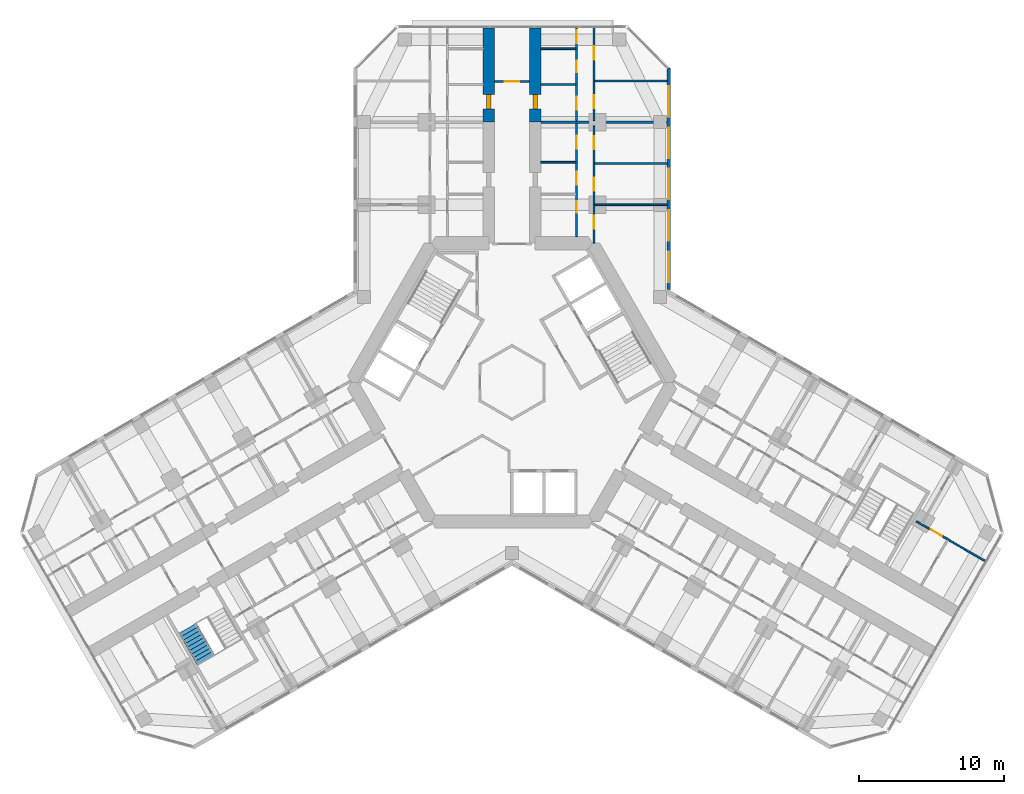
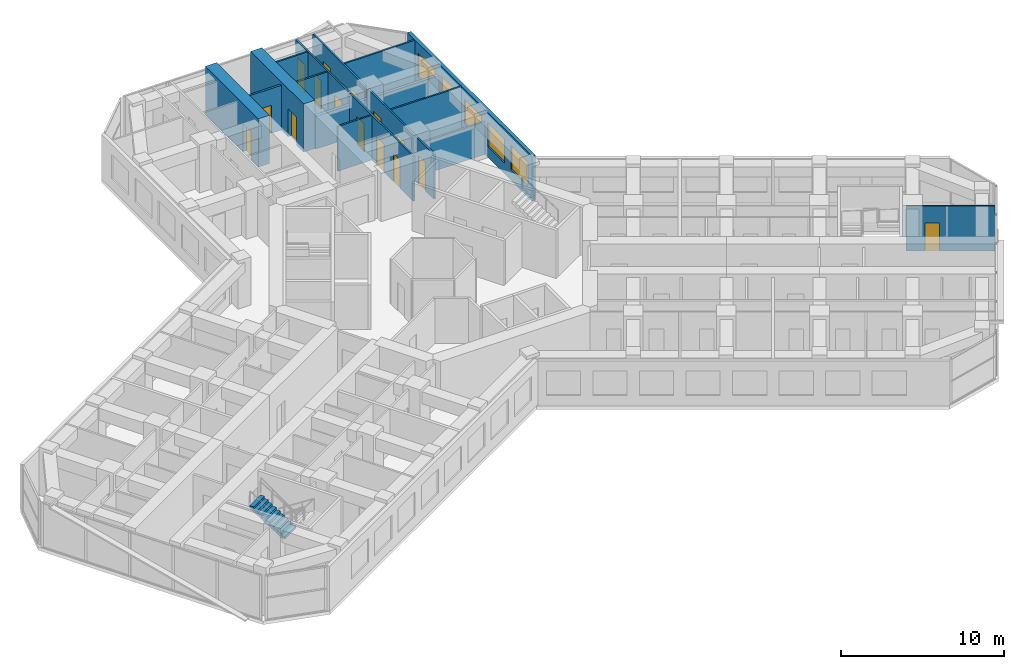
# One storey, part 18 of 20: 16 walls, 15 doors, 5 windows, 1 stair flight, 20 openings, 1 element without a shape of its own.
"""IFC4 building model written with IfcOpenShell, lengths in metres."""

from ifc_helpers import new_model, si_unit, direction, frame, frame_2d, origin, place, context, subcontext, project, spatial, polyline, rectangle, outline, extrude, material, layer, layer_set, type_object, element, fill, aggregate, save


model = new_model("IFC4")

# Units and contexts
model_context = context("Model", 3, precision=1e-05, world=origin(), true_north=direction((0.0, 1.0)))
body_context = subcontext(model_context, "Body", "Model", "MODEL_VIEW")
ifc_project = project(units=[si_unit("LENGTHUNIT", "METRE"), si_unit("AREAUNIT", "SQUARE_METRE"), si_unit("VOLUMEUNIT", "CUBIC_METRE"), si_unit("PLANEANGLEUNIT", "RADIAN"), si_unit("MASSUNIT", "GRAM", prefix="KILO")], contexts=[model_context])

# Site, building, storey
site_placement = place(None, origin())
site = spatial("IfcSite", under=ifc_project, at=site_placement, CompositionType="ELEMENT")
building_placement = place(site_placement, origin())
building = spatial("IfcBuilding", under=site, at=building_placement, Name="Kosmar Iwan School Tower", CompositionType="ELEMENT")
storey_placement = place(building_placement, frame((0.0, 0.0, 179.60009765625)))
storey = spatial("IfcBuildingStorey", under=building, at=storey_placement, Name="L45", CompositionType="ELEMENT", Elevation=179.60009765625)

# Wall, opening, door
ifc_material_1 = material(Name="Concrete C50/60", Category="concrete")
ifc_layer_1 = layer(ifc_material_1, 0.800048828125)
ifc_layer_set_1 = layer_set([ifc_layer_1], Name="Corridor buttress wall 800")
wall_type_1 = type_object("IfcWallType", Name="Corridor buttress wall 800", PredefinedType="SHEAR", material=ifc_layer_set_1)
wall_1_placement = place(storey_placement, frame((-1.60009765625, 17.949951171875, 0.0), z_axis=(0.0, 0.0, 1.0), x_axis=(0.0, 1.0, 0.0)))
wall_1 = element("IfcWall", 1, at=wall_1_placement, inside=storey, type_object=wall_type_1, Name="Corridor wall AL bay 2", PredefinedType="SHEAR", context=body_context, shape_type="SweptSolid", body=[
    extrude(rectangle(XDim=6.4951171875, YDim=0.800048828125, at=frame_2d((3.24755859375, 0.0))), origin(), (0.0, 0.0, 1.0), 3.599853515625),
])
opening_1_placement = place(wall_1_placement, frame((0.89990234375, 0.0, 0.0)))
opening_1 = element("IfcOpeningElement", 2, at=opening_1_placement, cuts=wall_1, Name="Opening D1", PredefinedType="OPENING", context=body_context, shape_type="SweptSolid", body=[
    extrude(rectangle(XDim=1.0, YDim=2.10009765625, at=frame_2d((0.5, 1.050048828125))), frame((0.0, 0.412109375, 0.0), z_axis=(0.0, -1.0, 0.0), x_axis=(1.0, 0.0, 0.0)), (0.0, 0.0, 1.0), 0.823974609375),
])
ifc_material_2 = material(Name="Timber fire door in steel frame", Category="steel")
door_type_1 = type_object("IfcDoorType", Name="Flat entrance door 1000x2100", OperationType="SINGLE_SWING_LEFT", PredefinedType="DOOR", material=ifc_material_2)
door_1_placement = place(opening_1_placement, origin())
door_1 = element("IfcDoor", 3, at=door_1_placement, inside=storey, type_object=door_type_1, Name="Flat L45-AL2 entrance door", OperationType="SINGLE_SWING_RIGHT", OverallHeight=2.10009765625, OverallWidth=1.0, PredefinedType="DOOR", context=body_context, shape_type="SweptSolid", body=[
    extrude(rectangle(XDim=1.0, YDim=2.10009765625, at=frame_2d((0.5, 1.050048828125))), frame((0.0, 0.14990234375, 0.0), z_axis=(0.0, -1.0, 0.0), x_axis=(1.0, 0.0, 0.0)), (0.0, 0.0, 1.0), 0.300048828125),
])
fill(opening_1, door_1)

wall_2_placement = place(storey_placement, frame((1.60009765625, 17.949951171875, 0.0), z_axis=(0.0, 0.0, 1.0), x_axis=(0.0, 1.0, 0.0)))
wall_2 = element("IfcWall", 4, at=wall_2_placement, inside=storey, type_object=wall_type_1, Name="Corridor wall AR bay 2", PredefinedType="SHEAR", context=body_context, shape_type="SweptSolid", body=[
    extrude(rectangle(XDim=6.4951171875, YDim=0.800048828125, at=frame_2d((3.24755859375, 0.0))), origin(), (0.0, 0.0, 1.0), 3.599853515625),
])
opening_2_placement = place(wall_2_placement, frame((0.89990234375, 0.0, 0.0)))
opening_2 = element("IfcOpeningElement", 5, at=opening_2_placement, cuts=wall_2, Name="Opening D1", PredefinedType="OPENING", context=body_context, shape_type="SweptSolid", body=[
    extrude(rectangle(XDim=1.0, YDim=2.10009765625, at=frame_2d((0.5, 1.050048828125))), frame((0.0, 0.412109375, 0.0), z_axis=(0.0, -1.0, 0.0), x_axis=(1.0, 0.0, 0.0)), (0.0, 0.0, 1.0), 0.823974609375),
])
door_2_placement = place(opening_2_placement, origin())
door_2 = element("IfcDoor", 6, at=door_2_placement, inside=storey, type_object=door_type_1, Name="Flat L45-AR2 entrance door", OperationType="SINGLE_SWING_RIGHT", OverallHeight=2.10009765625, OverallWidth=1.0, PredefinedType="DOOR", context=body_context, shape_type="SweptSolid", body=[
    extrude(rectangle(XDim=1.0, YDim=2.10009765625, at=frame_2d((0.5, 1.050048828125))), frame((0.0, 0.14990234375, 0.0), z_axis=(0.0, -1.0, 0.0), x_axis=(1.0, 0.0, 0.0)), (0.0, 0.0, 1.0), 0.300048828125),
])
fill(opening_2, door_2)

ifc_material_3 = material(Name="Gypsum board on steel studs, fire-rated", Category="steel")
ifc_layer_2 = layer(ifc_material_3, 0.14990234375)
ifc_layer_set_2 = layer_set([ifc_layer_2], Name="Corridor end wall 150")
wall_type_2 = type_object("IfcWallType", Name="Corridor end wall 150", PredefinedType="PARTITIONING", material=ifc_layer_set_2)
wall_3_placement = place(storey_placement, frame((1.199951171875, 20.75, 0.0), z_axis=(0.0, 0.0, 1.0), x_axis=(-1.0, 0.0, 0.0)))
wall_3 = element("IfcWall", 7, at=wall_3_placement, inside=storey, type_object=wall_type_2, Name="Partition L45-A-CE", PredefinedType="PARTITIONING", context=body_context, shape_type="SweptSolid", body=[
    extrude(rectangle(XDim=2.39990234375, YDim=0.14990234375, at=frame_2d((1.199951171875, 0.0))), origin(), (0.0, 0.0, 1.0), 3.349853515625),
])
opening_3_placement = place(wall_3_placement, frame((0.699951171875, 0.0, 0.0)))
opening_3 = element("IfcOpeningElement", 8, at=opening_3_placement, cuts=wall_3, Name="Opening D13", PredefinedType="OPENING", context=body_context, shape_type="SweptSolid", body=[
    extrude(rectangle(XDim=1.0, YDim=2.10009765625, at=frame_2d((0.5, 1.050048828125))), frame((0.0, 0.0869140625, 0.0), z_axis=(0.0, -1.0, 0.0), x_axis=(1.0, 0.0, 0.0)), (0.0, 0.0, 1.0), 0.173828125),
])
ifc_material_4 = material(Name="Timber fire door with vision panel", Category="wood")
door_type_2 = type_object("IfcDoorType", Name="Corridor end door 1000x2100", OperationType="SINGLE_SWING_LEFT", PredefinedType="DOOR", material=ifc_material_4)
door_3_placement = place(opening_3_placement, origin())
door_3 = element("IfcDoor", 9, at=door_3_placement, inside=storey, type_object=door_type_2, Name="Prayer room door L45-A", OperationType="SINGLE_SWING_RIGHT", OverallHeight=2.10009765625, OverallWidth=1.0, PredefinedType="DOOR", context=body_context, shape_type="SweptSolid", body=[
    extrude(rectangle(XDim=1.0, YDim=2.10009765625, at=frame_2d((0.5, 1.050048828125))), frame((0.0, 0.02490234375, 0.0), z_axis=(0.0, -1.0, 0.0), x_axis=(1.0, 0.0, 0.0)), (0.0, 0.0, 1.0), 0.050048828125),
])
fill(opening_3, door_3)

# Wall, openings, doors
ifc_material_5 = material(Name="Gypsum board on steel studs", Category="steel")
ifc_layer_3 = layer(ifc_material_5, 0.1201171875)
ifc_layer_set_3 = layer_set([ifc_layer_3], Name="Dwelling partition 120")
wall_type_3 = type_object("IfcWallType", Name="Dwelling partition 120", PredefinedType="PARTITIONING", material=ifc_layer_set_3)
wall_4_placement = place(storey_placement, frame((4.449951171875, 10.050048828125, 0.0), z_axis=(0.0, 0.0, 1.0), x_axis=(0.0, 1.0, 0.0)))
wall_4 = element("IfcWall", 10, at=wall_4_placement, inside=storey, type_object=wall_type_3, Name="Partition L45-AR1-W1", PredefinedType="PARTITIONING", context=body_context, shape_type="SweptSolid", body=[
    extrude(rectangle(XDim=7.800048828125, YDim=0.1201171875, at=frame_2d((3.89990234375, 0.0))), origin(), (0.0, 0.0, 1.0), 3.349853515625),
])
opening_4_placement = place(wall_4_placement, frame((1.639892578125, 0.0, 0.0)))
opening_4 = element("IfcOpeningElement", 11, at=opening_4_placement, cuts=wall_4, Name="Opening D3", PredefinedType="OPENING", context=body_context, shape_type="SweptSolid", body=[
    extrude(rectangle(XDim=0.800048828125, YDim=2.10009765625, at=frame_2d((0.39990234375, 1.050048828125))), frame((0.0, 0.072021484375, 0.0), z_axis=(0.0, -1.0, 0.0), x_axis=(1.0, 0.0, 0.0)), (0.0, 0.0, 1.0), 0.14404296875),
])
opening_5_placement = place(wall_4_placement, frame((3.580078125, 0.0, 0.0)))
opening_5 = element("IfcOpeningElement", 12, at=opening_5_placement, cuts=wall_4, Name="Opening D2", PredefinedType="OPENING", context=body_context, shape_type="SweptSolid", body=[
    extrude(rectangle(XDim=0.89990234375, YDim=2.10009765625, at=frame_2d((0.449951171875, 1.050048828125))), frame((0.0, 0.072021484375, 0.0), z_axis=(0.0, -1.0, 0.0), x_axis=(1.0, 0.0, 0.0)), (0.0, 0.0, 1.0), 0.14404296875),
])
opening_6_placement = place(wall_4_placement, frame((6.06494140625, 0.0, 0.0)))
opening_6 = element("IfcOpeningElement", 13, at=opening_6_placement, cuts=wall_4, Name="Opening D2", PredefinedType="OPENING", context=body_context, shape_type="SweptSolid", body=[
    extrude(rectangle(XDim=0.89990234375, YDim=2.10009765625, at=frame_2d((0.449951171875, 1.050048828125))), frame((0.0, 0.072021484375, 0.0), z_axis=(0.0, -1.0, 0.0), x_axis=(1.0, 0.0, 0.0)), (0.0, 0.0, 1.0), 0.14404296875),
])
ifc_material_6 = material(Name="Timber door in timber frame", Category="wood")
door_type_3 = type_object("IfcDoorType", Name="Internal door 900x2100", OperationType="SINGLE_SWING_LEFT", PredefinedType="DOOR", material=ifc_material_6)
door_4_placement = place(opening_5_placement, origin())
door_4 = element("IfcDoor", 14, at=door_4_placement, inside=storey, type_object=door_type_3, Name="Entrance hall door L45-AR1-S2", OperationType="SINGLE_SWING_RIGHT", OverallHeight=2.10009765625, OverallWidth=0.89990234375, PredefinedType="DOOR", context=body_context, shape_type="SweptSolid", body=[
    extrude(rectangle(XDim=0.89990234375, YDim=2.10009765625, at=frame_2d((0.449951171875, 1.050048828125))), frame((0.0, 0.02490234375, 0.0), z_axis=(0.0, -1.0, 0.0), x_axis=(1.0, 0.0, 0.0)), (0.0, 0.0, 1.0), 0.050048828125),
])
fill(opening_5, door_4)
door_5_placement = place(opening_6_placement, origin())
door_5 = element("IfcDoor", 15, at=door_5_placement, inside=storey, type_object=door_type_3, Name="Pantry door L45-AR1-S3", OperationType="SINGLE_SWING_RIGHT", OverallHeight=2.10009765625, OverallWidth=0.89990234375, PredefinedType="DOOR", context=body_context, shape_type="SweptSolid", body=[
    extrude(rectangle(XDim=0.89990234375, YDim=2.10009765625, at=frame_2d((0.449951171875, 1.050048828125))), frame((0.0, 0.02490234375, 0.0), z_axis=(0.0, -1.0, 0.0), x_axis=(1.0, 0.0, 0.0)), (0.0, 0.0, 1.0), 0.050048828125),
])
fill(opening_6, door_5)
ifc_material_7 = material(Name="Timber door in timber frame", Category="wood")
door_type_4 = type_object("IfcDoorType", Name="Sanitary room door 800x2100", OperationType="SINGLE_SWING_LEFT", PredefinedType="DOOR", material=ifc_material_7)
door_6_placement = place(opening_4_placement, origin())
door_6 = element("IfcDoor", 16, at=door_6_placement, inside=storey, type_object=door_type_4, Name="Bathroom door L45-AR1-S1", OperationType="SINGLE_SWING_RIGHT", OverallHeight=2.10009765625, OverallWidth=0.800048828125, PredefinedType="DOOR", context=body_context, shape_type="SweptSolid", body=[
    extrude(rectangle(XDim=0.800048828125, YDim=2.10009765625, at=frame_2d((0.39990234375, 1.050048828125))), frame((0.0, 0.02490234375, 0.0), z_axis=(0.0, -1.0, 0.0), x_axis=(1.0, 0.0, 0.0)), (0.0, 0.0, 1.0), 0.050048828125),
])
fill(opening_4, door_6)

wall_5_placement = place(storey_placement, frame((5.64990234375, 9.60009765625, 0.0), z_axis=(0.0, 0.0, 1.0), x_axis=(0.0, 1.0, 0.0)))
wall_5 = element("IfcWall", 17, at=wall_5_placement, inside=storey, type_object=wall_type_3, Name="Partition L45-AR1-W2", PredefinedType="PARTITIONING", context=body_context, shape_type="SweptSolid", body=[
    extrude(rectangle(XDim=8.099853515625, YDim=0.1201171875, at=frame_2d((4.0498046875, 0.0))), origin(), (0.0, 0.0, 1.0), 3.349853515625),
])
opening_7_placement = place(wall_5_placement, frame((1.0, 0.0, 0.0)))
opening_7 = element("IfcOpeningElement", 18, at=opening_7_placement, cuts=wall_5, Name="Opening D2", PredefinedType="OPENING", context=body_context, shape_type="SweptSolid", body=[
    extrude(rectangle(XDim=0.89990234375, YDim=2.10009765625, at=frame_2d((0.449951171875, 1.050048828125))), frame((0.0, 0.072021484375, 0.0), z_axis=(0.0, -1.0, 0.0), x_axis=(1.0, 0.0, 0.0)), (0.0, 0.0, 1.0), 0.14404296875),
])
opening_8_placement = place(wall_5_placement, frame((3.625, 0.0, 0.0)))
opening_8 = element("IfcOpeningElement", 19, at=opening_8_placement, cuts=wall_5, Name="Opening D2", PredefinedType="OPENING", context=body_context, shape_type="SweptSolid", body=[
    extrude(rectangle(XDim=0.89990234375, YDim=2.10009765625, at=frame_2d((0.449951171875, 1.050048828125))), frame((0.0, 0.072021484375, 0.0), z_axis=(0.0, -1.0, 0.0), x_axis=(1.0, 0.0, 0.0)), (0.0, 0.0, 1.0), 0.14404296875),
])
opening_9_placement = place(wall_5_placement, frame((6.47509765625, 0.0, 0.0)))
opening_9 = element("IfcOpeningElement", 20, at=opening_9_placement, cuts=wall_5, Name="Opening D2", PredefinedType="OPENING", context=body_context, shape_type="SweptSolid", body=[
    extrude(rectangle(XDim=0.89990234375, YDim=2.10009765625, at=frame_2d((0.449951171875, 1.050048828125))), frame((0.0, 0.072021484375, 0.0), z_axis=(0.0, -1.0, 0.0), x_axis=(1.0, 0.0, 0.0)), (0.0, 0.0, 1.0), 0.14404296875),
])
door_7_placement = place(opening_7_placement, origin())
door_7 = element("IfcDoor", 21, at=door_7_placement, inside=storey, type_object=door_type_3, Name="Family room and kitchen door L45-AR1-F1", OperationType="SINGLE_SWING_LEFT", OverallHeight=2.10009765625, OverallWidth=0.89990234375, PredefinedType="DOOR", context=body_context, shape_type="SweptSolid", body=[
    extrude(rectangle(XDim=0.89990234375, YDim=2.10009765625, at=frame_2d((0.449951171875, 1.050048828125))), frame((0.0, 0.02490234375, 0.0), z_axis=(0.0, -1.0, 0.0), x_axis=(1.0, 0.0, 0.0)), (0.0, 0.0, 1.0), 0.050048828125),
])
fill(opening_7, door_7)
door_8_placement = place(opening_8_placement, origin())
door_8 = element("IfcDoor", 22, at=door_8_placement, inside=storey, type_object=door_type_3, Name="Study door L45-AR1-F2", OperationType="SINGLE_SWING_LEFT", OverallHeight=2.10009765625, OverallWidth=0.89990234375, PredefinedType="DOOR", context=body_context, shape_type="SweptSolid", body=[
    extrude(rectangle(XDim=0.89990234375, YDim=2.10009765625, at=frame_2d((0.449951171875, 1.050048828125))), frame((0.0, 0.02490234375, 0.0), z_axis=(0.0, -1.0, 0.0), x_axis=(1.0, 0.0, 0.0)), (0.0, 0.0, 1.0), 0.050048828125),
])
fill(opening_8, door_8)
door_9_placement = place(opening_9_placement, origin())
door_9 = element("IfcDoor", 23, at=door_9_placement, inside=storey, type_object=door_type_3, Name="Bedroom 1 door L45-AR1-F3", OperationType="SINGLE_SWING_RIGHT", OverallHeight=2.10009765625, OverallWidth=0.89990234375, PredefinedType="DOOR", context=body_context, shape_type="SweptSolid", body=[
    extrude(rectangle(XDim=0.89990234375, YDim=2.10009765625, at=frame_2d((0.449951171875, 1.050048828125))), frame((0.0, 0.02490234375, 0.0), z_axis=(0.0, -1.0, 0.0), x_axis=(1.0, 0.0, 0.0)), (0.0, 0.0, 1.0), 0.050048828125),
])
fill(opening_9, door_9)

# Walls
wall_6_placement = place(storey_placement, frame((5.7099609375, 12.25, 0.0), z_axis=(0.0, 0.0, 1.0), x_axis=(1.0, 0.0, 0.0)))
element("IfcWall", 24, at=wall_6_placement, inside=storey, type_object=wall_type_3, Name="Partition L45-AR1-X1", PredefinedType="PARTITIONING", context=body_context, shape_type="SweptSolid", body=[
    extrude(rectangle(XDim=4.989990234375, YDim=0.1201171875, at=frame_2d((2.4951171875, 0.0))), origin(), (0.0, 0.0, 1.0), 2.449951171875),
])
wall_7_placement = place(storey_placement, frame((5.7099609375, 15.10009765625, 0.0), z_axis=(0.0, 0.0, 1.0), x_axis=(1.0, 0.0, 0.0)))
element("IfcWall", 25, at=wall_7_placement, inside=storey, type_object=wall_type_3, Name="Partition L45-AR1-X2", PredefinedType="PARTITIONING", context=body_context, shape_type="SweptSolid", body=[
    extrude(rectangle(XDim=4.989990234375, YDim=0.1201171875, at=frame_2d((2.4951171875, 0.0))), origin(), (0.0, 0.0, 1.0), 3.349853515625),
])
wall_8_placement = place(storey_placement, frame((2.0, 15.179931640625, 0.0), z_axis=(0.0, 0.0, 1.0), x_axis=(1.0, 0.0, 0.0)))
element("IfcWall", 26, at=wall_8_placement, inside=storey, type_object=wall_type_3, Name="Partition L45-AR1-Y2", PredefinedType="PARTITIONING", context=body_context, shape_type="SweptSolid", body=[
    extrude(rectangle(XDim=2.389892578125, YDim=0.1201171875, at=frame_2d((1.19482421875, 0.0))), origin(), (0.0, 0.0, 1.0), 3.349853515625),
])

# Wall, openings, doors
wall_9_placement = place(storey_placement, frame((4.449951171875, 18.050048828125, 0.0), z_axis=(0.0, 0.0, 1.0), x_axis=(0.0, 1.0, 0.0)))
wall_9 = element("IfcWall", 27, at=wall_9_placement, inside=storey, type_object=wall_type_3, Name="Partition L45-AR2-W1", PredefinedType="PARTITIONING", context=body_context, shape_type="SweptSolid", body=[
    extrude(rectangle(XDim=6.39501953125, YDim=0.1201171875, at=frame_2d((3.197509765625, 0.0))), origin(), (0.0, 0.0, 1.0), 3.349853515625),
])
opening_10_placement = place(wall_9_placement, frame((0.75, 0.0, 0.0)))
opening_10 = element("IfcOpeningElement", 28, at=opening_10_placement, cuts=wall_9, Name="Opening D2", PredefinedType="OPENING", context=body_context, shape_type="SweptSolid", body=[
    extrude(rectangle(XDim=0.89990234375, YDim=2.10009765625, at=frame_2d((0.449951171875, 1.050048828125))), frame((0.0, 0.072021484375, 0.0), z_axis=(0.0, -1.0, 0.0), x_axis=(1.0, 0.0, 0.0)), (0.0, 0.0, 1.0), 0.14404296875),
])
opening_11_placement = place(wall_9_placement, frame((3.330078125, 0.0, 0.0)))
opening_11 = element("IfcOpeningElement", 29, at=opening_11_placement, cuts=wall_9, Name="Opening D3", PredefinedType="OPENING", context=body_context, shape_type="SweptSolid", body=[
    extrude(rectangle(XDim=0.800048828125, YDim=2.10009765625, at=frame_2d((0.39990234375, 1.050048828125))), frame((0.0, 0.072021484375, 0.0), z_axis=(0.0, -1.0, 0.0), x_axis=(1.0, 0.0, 0.0)), (0.0, 0.0, 1.0), 0.14404296875),
])
opening_12_placement = place(wall_9_placement, frame((5.330078125, 0.0, 0.0)))
opening_12 = element("IfcOpeningElement", 30, at=opening_12_placement, cuts=wall_9, Name="Opening D2", PredefinedType="OPENING", context=body_context, shape_type="SweptSolid", body=[
    extrude(rectangle(XDim=0.89990234375, YDim=2.10009765625, at=frame_2d((0.449951171875, 1.050048828125))), frame((0.0, 0.072021484375, 0.0), z_axis=(0.0, -1.0, 0.0), x_axis=(1.0, 0.0, 0.0)), (0.0, 0.0, 1.0), 0.14404296875),
])
door_10_placement = place(opening_10_placement, origin())
door_10 = element("IfcDoor", 31, at=door_10_placement, inside=storey, type_object=door_type_3, Name="Entrance hall door L45-AR2-S1", OperationType="SINGLE_SWING_LEFT", OverallHeight=2.10009765625, OverallWidth=0.89990234375, PredefinedType="DOOR", context=body_context, shape_type="SweptSolid", body=[
    extrude(rectangle(XDim=0.89990234375, YDim=2.10009765625, at=frame_2d((0.449951171875, 1.050048828125))), frame((0.0, 0.02490234375, 0.0), z_axis=(0.0, -1.0, 0.0), x_axis=(1.0, 0.0, 0.0)), (0.0, 0.0, 1.0), 0.050048828125),
])
fill(opening_10, door_10)
door_11_placement = place(opening_12_placement, origin())
door_11 = element("IfcDoor", 32, at=door_11_placement, inside=storey, type_object=door_type_3, Name="Pantry door L45-AR2-S3", OperationType="SINGLE_SWING_RIGHT", OverallHeight=2.10009765625, OverallWidth=0.89990234375, PredefinedType="DOOR", context=body_context, shape_type="SweptSolid", body=[
    extrude(rectangle(XDim=0.89990234375, YDim=2.10009765625, at=frame_2d((0.449951171875, 1.050048828125))), frame((0.0, 0.02490234375, 0.0), z_axis=(0.0, -1.0, 0.0), x_axis=(1.0, 0.0, 0.0)), (0.0, 0.0, 1.0), 0.050048828125),
])
fill(opening_12, door_11)
door_12_placement = place(opening_11_placement, origin())
door_12 = element("IfcDoor", 33, at=door_12_placement, inside=storey, type_object=door_type_4, Name="Bathroom door L45-AR2-S2", OperationType="SINGLE_SWING_RIGHT", OverallHeight=2.10009765625, OverallWidth=0.800048828125, PredefinedType="DOOR", context=body_context, shape_type="SweptSolid", body=[
    extrude(rectangle(XDim=0.800048828125, YDim=2.10009765625, at=frame_2d((0.39990234375, 1.050048828125))), frame((0.0, 0.02490234375, 0.0), z_axis=(0.0, -1.0, 0.0), x_axis=(1.0, 0.0, 0.0)), (0.0, 0.0, 1.0), 0.050048828125),
])
fill(opening_11, door_12)

wall_10_placement = place(storey_placement, frame((5.64990234375, 18.050048828125, 0.0), z_axis=(0.0, 0.0, 1.0), x_axis=(0.0, 1.0, 0.0)))
wall_10 = element("IfcWall", 34, at=wall_10_placement, inside=storey, type_object=wall_type_3, Name="Partition L45-AR2-W2", PredefinedType="PARTITIONING", context=body_context, shape_type="SweptSolid", body=[
    extrude(rectangle(XDim=6.39501953125, YDim=0.1201171875, at=frame_2d((3.197509765625, 0.0))), origin(), (0.0, 0.0, 1.0), 3.349853515625),
])
opening_13_placement = place(wall_10_placement, frame((0.875, 0.0, 0.0)))
opening_13 = element("IfcOpeningElement", 35, at=opening_13_placement, cuts=wall_10, Name="Opening D2", PredefinedType="OPENING", context=body_context, shape_type="SweptSolid", body=[
    extrude(rectangle(XDim=0.89990234375, YDim=2.10009765625, at=frame_2d((0.449951171875, 1.050048828125))), frame((0.0, 0.072021484375, 0.0), z_axis=(0.0, -1.0, 0.0), x_axis=(1.0, 0.0, 0.0)), (0.0, 0.0, 1.0), 0.14404296875),
])
opening_14_placement = place(wall_10_placement, frame((4.22509765625, 0.0, 0.0)))
opening_14 = element("IfcOpeningElement", 36, at=opening_14_placement, cuts=wall_10, Name="Opening D2", PredefinedType="OPENING", context=body_context, shape_type="SweptSolid", body=[
    extrude(rectangle(XDim=0.89990234375, YDim=2.10009765625, at=frame_2d((0.449951171875, 1.050048828125))), frame((0.0, 0.072021484375, 0.0), z_axis=(0.0, -1.0, 0.0), x_axis=(1.0, 0.0, 0.0)), (0.0, 0.0, 1.0), 0.14404296875),
])
door_13_placement = place(opening_13_placement, origin())
door_13 = element("IfcDoor", 37, at=door_13_placement, inside=storey, type_object=door_type_3, Name="Family room and kitchen door L45-AR2-F1", OperationType="SINGLE_SWING_LEFT", OverallHeight=2.10009765625, OverallWidth=0.89990234375, PredefinedType="DOOR", context=body_context, shape_type="SweptSolid", body=[
    extrude(rectangle(XDim=0.89990234375, YDim=2.10009765625, at=frame_2d((0.449951171875, 1.050048828125))), frame((0.0, 0.02490234375, 0.0), z_axis=(0.0, -1.0, 0.0), x_axis=(1.0, 0.0, 0.0)), (0.0, 0.0, 1.0), 0.050048828125),
])
fill(opening_13, door_13)
door_14_placement = place(opening_14_placement, origin())
door_14 = element("IfcDoor", 38, at=door_14_placement, inside=storey, type_object=door_type_3, Name="Bedroom 1 door L45-AR2-F2", OperationType="SINGLE_SWING_RIGHT", OverallHeight=2.10009765625, OverallWidth=0.89990234375, PredefinedType="DOOR", context=body_context, shape_type="SweptSolid", body=[
    extrude(rectangle(XDim=0.89990234375, YDim=2.10009765625, at=frame_2d((0.449951171875, 1.050048828125))), frame((0.0, 0.02490234375, 0.0), z_axis=(0.0, -1.0, 0.0), x_axis=(1.0, 0.0, 0.0)), (0.0, 0.0, 1.0), 0.050048828125),
])
fill(opening_14, door_14)

# Walls
wall_11_placement = place(storey_placement, frame((5.7099609375, 20.800048828125, 0.0), z_axis=(0.0, 0.0, 1.0), x_axis=(1.0, 0.0, 0.0)))
element("IfcWall", 39, at=wall_11_placement, inside=storey, type_object=wall_type_3, Name="Partition L45-AR2-X1", PredefinedType="PARTITIONING", context=body_context, shape_type="SweptSolid", body=[
    extrude(rectangle(XDim=4.989990234375, YDim=0.1201171875, at=frame_2d((2.4951171875, 0.0))), origin(), (0.0, 0.0, 1.0), 3.349853515625),
])
for number, where, z_axis, x_axis, name in (
    (40, (2.0, 20.550048828125, 0.0), (0.0, 0.0, 1.0), (1.0, 0.0, 0.0), "Partition L45-AR2-Y1"),
    (41, (2.0, 23.010009765625, 0.0), (0.0, 0.0, 1.0), (1.0, 0.0, 0.0), "Partition L45-AR2-Y2"),
):
    element("IfcWall", number, at=place(storey_placement, frame(where, z_axis=z_axis, x_axis=x_axis)), inside=storey, type_object=wall_type_3, Name=name, PredefinedType="PARTITIONING", context=body_context, shape_type="SweptSolid", body=[
        extrude(rectangle(XDim=2.389892578125, YDim=0.1201171875, at=frame_2d((1.19482421875, 0.0))), origin(), (0.0, 0.0, 1.0), 3.349853515625),
    ])

# Wall, opening, door
wall_12_placement = place(storey_placement, frame((27.896484375, -9.58203125, 0.0), z_axis=(0.0, 0.0, 1.0), x_axis=(0.866035508231, -0.499982498177, 0.0)))
wall_12 = element("IfcWall", 42, at=wall_12_placement, inside=storey, type_object=wall_type_3, Name="Partition L45-CL2-TW", PredefinedType="PARTITIONING", context=body_context, shape_type="SweptSolid", body=[
    extrude(rectangle(XDim=5.445068359375, YDim=0.1201171875, at=frame_2d((2.72265625, 0.0))), origin(), (0.0, 0.0, 1.0), 3.349853515625),
])
opening_15_placement = place(wall_12_placement, frame((1.14990234375, 0.0, 0.0)))
opening_15 = element("IfcOpeningElement", 43, at=opening_15_placement, cuts=wall_12, Name="Opening D2", PredefinedType="OPENING", context=body_context, shape_type="SweptSolid", body=[
    extrude(rectangle(XDim=0.89990234375, YDim=2.10009765625, at=frame_2d((0.449951171875, 1.050048828125))), frame((0.0, 0.072021484375, 0.0), z_axis=(0.0, -1.0, 0.0), x_axis=(1.0, 0.0, 0.0)), (0.0, 0.0, 1.0), 0.14404296875),
])
door_15_placement = place(opening_15_placement, origin())
door_15 = element("IfcDoor", 44, at=door_15_placement, inside=storey, type_object=door_type_3, Name="Dressing room door L45-CL2-T3", OperationType="SINGLE_SWING_LEFT", OverallHeight=2.10009765625, OverallWidth=0.89990234375, PredefinedType="DOOR", context=body_context, shape_type="SweptSolid", body=[
    extrude(rectangle(XDim=0.89990234375, YDim=2.10009765625, at=frame_2d((0.449951171875, 1.050048828125))), frame((0.0, 0.02490234375, 0.0), z_axis=(0.0, -1.0, 0.0), x_axis=(1.0, 0.0, 0.0)), (0.0, 0.0, 1.0), 0.050048828125),
])
fill(opening_15, door_15)

# Wall, openings, windows
ifc_material_8 = material(Name="Black aluminium rainscreen on insulated framing", Category="aluminium")
ifc_layer_4 = layer(ifc_material_8, 0.25)
ifc_layer_set_4 = layer_set([ifc_layer_4], Name="External wall rainscreen 250")
wall_type_4 = type_object("IfcWallType", Name="External wall rainscreen 250", PredefinedType="SOLIDWALL", material=ifc_layer_set_4)
wall_13_placement = place(storey_placement, frame((10.824951171875, 6.408935546875, 0.0), z_axis=(0.0, 0.0, 1.0), x_axis=(0.0, 1.0, 0.0)))
wall_13 = element("IfcWall", 45, at=wall_13_placement, inside=storey, type_object=wall_type_4, Name="External wall AR L45", PredefinedType="SOLIDWALL", context=body_context, shape_type="SweptSolid", body=[
    extrude(rectangle(XDim=15.2763671875, YDim=0.25, at=frame_2d((7.63818359375, 0.0))), origin(), (0.0, 0.0, 1.0), 3.349853515625),
])
opening_16_placement = place(wall_13_placement, frame((0.51611328125, 0.0, 0.800048828125)))
opening_16 = element("IfcOpeningElement", 46, at=opening_16_placement, cuts=wall_13, Name="Opening W4", PredefinedType="OPENING", context=body_context, shape_type="SweptSolid", body=[
    extrude(rectangle(XDim=2.10009765625, YDim=1.800048828125, at=frame_2d((1.050048828125, 0.89990234375))), frame((0.0, 0.136962890625, 0.0), z_axis=(0.0, -1.0, 0.0), x_axis=(1.0, 0.0, 0.0)), (0.0, 0.0, 1.0), 0.27392578125),
])
opening_17_placement = place(wall_13_placement, frame((3.365966796875, 0.0, 0.800048828125)))
opening_17 = element("IfcOpeningElement", 47, at=opening_17_placement, cuts=wall_13, Name="Opening W4", PredefinedType="OPENING", context=body_context, shape_type="SweptSolid", body=[
    extrude(rectangle(XDim=2.10009765625, YDim=1.800048828125, at=frame_2d((1.050048828125, 0.89990234375))), frame((0.0, 0.136962890625, 0.0), z_axis=(0.0, -1.0, 0.0), x_axis=(1.0, 0.0, 0.0)), (0.0, 0.0, 1.0), 0.27392578125),
])
opening_18_placement = place(wall_13_placement, frame((6.216064453125, 0.0, 0.800048828125)))
opening_18 = element("IfcOpeningElement", 48, at=opening_18_placement, cuts=wall_13, Name="Opening W4", PredefinedType="OPENING", context=body_context, shape_type="SweptSolid", body=[
    extrude(rectangle(XDim=2.10009765625, YDim=1.800048828125, at=frame_2d((1.050048828125, 0.89990234375))), frame((0.0, 0.136962890625, 0.0), z_axis=(0.0, -1.0, 0.0), x_axis=(1.0, 0.0, 0.0)), (0.0, 0.0, 1.0), 0.27392578125),
])
opening_19_placement = place(wall_13_placement, frame((9.06591796875, 0.0, 0.800048828125)))
opening_19 = element("IfcOpeningElement", 49, at=opening_19_placement, cuts=wall_13, Name="Opening W4", PredefinedType="OPENING", context=body_context, shape_type="SweptSolid", body=[
    extrude(rectangle(XDim=2.10009765625, YDim=1.800048828125, at=frame_2d((1.050048828125, 0.89990234375))), frame((0.0, 0.136962890625, 0.0), z_axis=(0.0, -1.0, 0.0), x_axis=(1.0, 0.0, 0.0)), (0.0, 0.0, 1.0), 0.27392578125),
])
opening_20_placement = place(wall_13_placement, frame((11.916015625, 0.0, 0.800048828125)))
opening_20 = element("IfcOpeningElement", 50, at=opening_20_placement, cuts=wall_13, Name="Opening W4", PredefinedType="OPENING", context=body_context, shape_type="SweptSolid", body=[
    extrude(rectangle(XDim=2.10009765625, YDim=1.800048828125, at=frame_2d((1.050048828125, 0.89990234375))), frame((0.0, 0.136962890625, 0.0), z_axis=(0.0, -1.0, 0.0), x_axis=(1.0, 0.0, 0.0)), (0.0, 0.0, 1.0), 0.27392578125),
])
ifc_material_9 = material(Name="Black aluminium frame with dark triple glazing", Category="aluminium")
window_type = type_object("IfcWindowType", Name="Window 2100x1800", PartitioningType="SINGLE_PANEL", PredefinedType="WINDOW", material=ifc_material_9)
window_1_placement = place(opening_16_placement, origin())
window_1 = element("IfcWindow", 51, at=window_1_placement, inside=storey, type_object=window_type, Name="Window AR L45 -1", OverallHeight=1.800048828125, OverallWidth=2.10009765625, PartitioningType="SINGLE_PANEL", PredefinedType="WINDOW", context=body_context, shape_type="SweptSolid", body=[
    extrude(rectangle(XDim=2.10009765625, YDim=1.800048828125, at=frame_2d((1.050048828125, 0.89990234375))), frame((0.0, 0.030029296875, 0.0), z_axis=(0.0, -1.0, 0.0), x_axis=(1.0, 0.0, 0.0)), (0.0, 0.0, 1.0), 0.06005859375),
])
fill(opening_16, window_1)
window_2_placement = place(opening_17_placement, origin())
window_2 = element("IfcWindow", 52, at=window_2_placement, inside=storey, type_object=window_type, Name="Window AR L45 0", OverallHeight=1.800048828125, OverallWidth=2.10009765625, PartitioningType="SINGLE_PANEL", PredefinedType="WINDOW", context=body_context, shape_type="SweptSolid", body=[
    extrude(rectangle(XDim=2.10009765625, YDim=1.800048828125, at=frame_2d((1.050048828125, 0.89990234375))), frame((0.0, 0.030029296875, 0.0), z_axis=(0.0, -1.0, 0.0), x_axis=(1.0, 0.0, 0.0)), (0.0, 0.0, 1.0), 0.06005859375),
])
fill(opening_17, window_2)
window_3_placement = place(opening_18_placement, origin())
window_3 = element("IfcWindow", 53, at=window_3_placement, inside=storey, type_object=window_type, Name="Window AR L45 1", OverallHeight=1.800048828125, OverallWidth=2.10009765625, PartitioningType="SINGLE_PANEL", PredefinedType="WINDOW", context=body_context, shape_type="SweptSolid", body=[
    extrude(rectangle(XDim=2.10009765625, YDim=1.800048828125, at=frame_2d((1.050048828125, 0.89990234375))), frame((0.0, 0.030029296875, 0.0), z_axis=(0.0, -1.0, 0.0), x_axis=(1.0, 0.0, 0.0)), (0.0, 0.0, 1.0), 0.06005859375),
])
fill(opening_18, window_3)
window_4_placement = place(opening_19_placement, origin())
window_4 = element("IfcWindow", 54, at=window_4_placement, inside=storey, type_object=window_type, Name="Window AR L45 2", OverallHeight=1.800048828125, OverallWidth=2.10009765625, PartitioningType="SINGLE_PANEL", PredefinedType="WINDOW", context=body_context, shape_type="SweptSolid", body=[
    extrude(rectangle(XDim=2.10009765625, YDim=1.800048828125, at=frame_2d((1.050048828125, 0.89990234375))), frame((0.0, 0.030029296875, 0.0), z_axis=(0.0, -1.0, 0.0), x_axis=(1.0, 0.0, 0.0)), (0.0, 0.0, 1.0), 0.06005859375),
])
fill(opening_19, window_4)
window_5_placement = place(opening_20_placement, origin())
window_5 = element("IfcWindow", 55, at=window_5_placement, inside=storey, type_object=window_type, Name="Window AR L45 3", OverallHeight=1.800048828125, OverallWidth=2.10009765625, PartitioningType="SINGLE_PANEL", PredefinedType="WINDOW", context=body_context, shape_type="SweptSolid", body=[
    extrude(rectangle(XDim=2.10009765625, YDim=1.800048828125, at=frame_2d((1.050048828125, 0.89990234375))), frame((0.0, 0.030029296875, 0.0), z_axis=(0.0, -1.0, 0.0), x_axis=(1.0, 0.0, 0.0)), (0.0, 0.0, 1.0), 0.06005859375),
])
fill(opening_20, window_5)

# Wall
ifc_material_10 = material(Name="Concrete block masonry", Category="masonry")
ifc_layer_5 = layer(ifc_material_10, 0.199951171875)
ifc_layer_set_5 = layer_set([ifc_layer_5], Name="Party wall 200")
wall_type_5 = type_object("IfcWallType", Name="Party wall 200", PredefinedType="PARTITIONING", material=ifc_layer_set_5)
wall_14_placement = place(storey_placement, frame((2.0, 17.949951171875, 0.0), z_axis=(0.0, 0.0, 1.0), x_axis=(1.0, 0.0, 0.0)))
element("IfcWall", 56, at=wall_14_placement, inside=storey, type_object=wall_type_5, Name="Partition L45-AR2-PW", PredefinedType="PARTITIONING", context=body_context, shape_type="SweptSolid", body=[
    extrude(rectangle(XDim=8.699951171875, YDim=0.199951171875, at=frame_2d((4.35009765625, 0.0))), origin(), (0.0, 0.0, 1.0), 2.449951171875),
])

# Stair, stair flight
ifc_material_11 = material(Name="Concrete C35/45", Category="concrete")
stair_type = type_object("IfcStairType", Name="Escape stair 3600", PredefinedType="HALF_TURN_STAIR", material=ifc_material_11)
stair_placement = place(storey_placement, origin())
stair = element("IfcStair", 57, at=stair_placement, inside=storey, type_object=stair_type, Name="Stair WS2 L45", PredefinedType="HALF_TURN_STAIR")
ifc_material_12 = material(Name="Concrete C35/45", Category="concrete")
stair_flight_type = type_object("IfcStairFlightType", Name="Escape stair flight 1350", PredefinedType="STRAIGHT", material=ifc_material_12)
stair_flight_placement = place(storey_placement, frame((-21.13037109375, -19.15087890625, 1.7998046875), z_axis=(0.0, 0.0, 1.0), x_axis=(-0.5, 0.866025403784, 0.0)))
stair_flight = element("IfcStairFlight", 58, at=stair_flight_placement, type_object=stair_flight_type, Name="WS2 flight 2", NumberOfRisers=10, NumberOfTreads=9, PredefinedType="STRAIGHT", RiserHeight=0.18, TreadLength=0.28, context=body_context, shape_type="SweptSolid", body=[
    extrude(outline(polyline([(0.0, 0.0), (0.0, 0.179931640625), (0.280029296875, 0.179931640625), (0.280029296875, 0.360107421875), (0.56005859375, 0.360107421875), (0.56005859375, 0.5400390625), (0.840087890625, 0.5400390625), (0.840087890625, 0.719970703125), (1.1201171875, 0.719970703125), (1.1201171875, 0.89990234375), (1.39990234375, 0.89990234375), (1.39990234375, 1.080078125), (1.679931640625, 1.080078125), (1.679931640625, 1.260009765625), (1.9599609375, 1.260009765625), (1.9599609375, 1.43994140625), (2.239990234375, 1.43994140625), (2.239990234375, 1.6201171875), (2.52001953125, 1.6201171875), (2.52001953125, 1.800048828125), (2.52001953125, 1.44189453125), (0.277099609375, 0.0), (0.0, 0.0)])), frame((0.0, 0.675048828125, 0.0), z_axis=(0.0, -1.0, 0.0), x_axis=(1.0, 0.0, 0.0)), (0.0, 0.0, 1.0), 1.35009765625),
])
aggregate(stair, [stair_flight])

save(model, "model.ifc")
